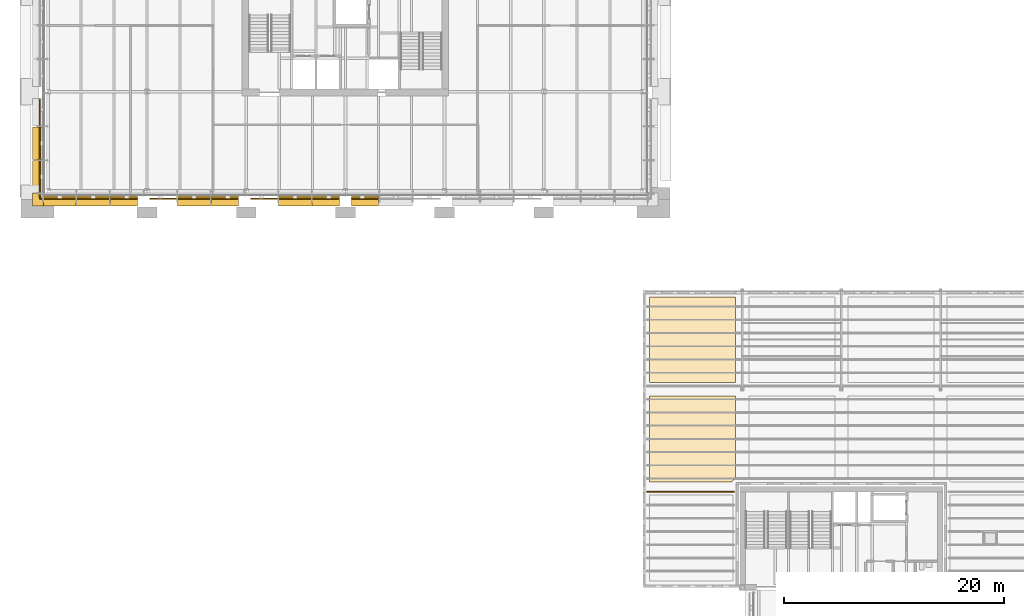
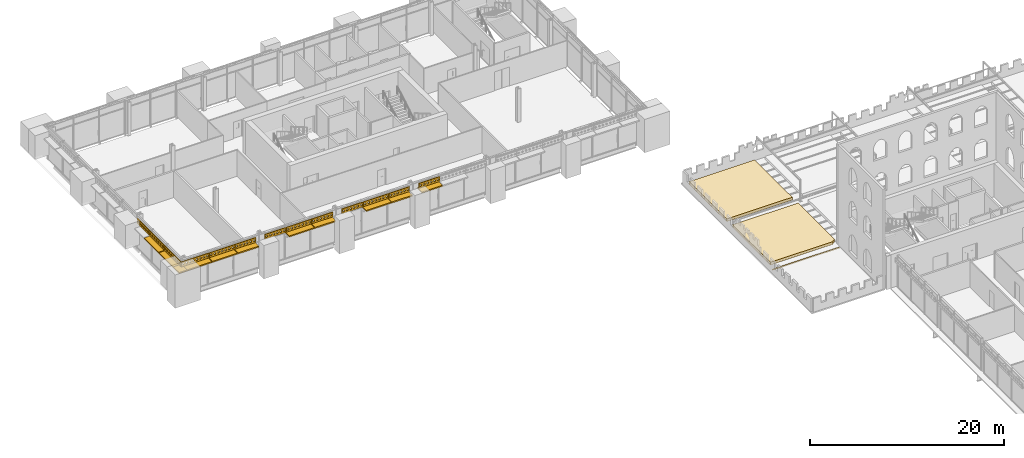
# One storey, part 140 of 153: 24 shading devices, 3 coverings.
"""IFC4 building model written with IfcOpenShell, lengths in metres."""

from ifc_helpers import new_model, si_unit, direction, frame, origin, origin_2d, place, context, subcontext, project, spatial, polyline, rectangle, outline, extrude, material, layer, layer_set, type_object, element, save


model = new_model("IFC4")

# Units and contexts
model_context = context("Model", 3, precision=1e-05, world=origin(), true_north=direction((0.0, 1.0)))
body_context = subcontext(model_context, "Body", "Model", "MODEL_VIEW")
ifc_project = project(units=[si_unit("LENGTHUNIT", "METRE"), si_unit("AREAUNIT", "SQUARE_METRE"), si_unit("VOLUMEUNIT", "CUBIC_METRE"), si_unit("PLANEANGLEUNIT", "RADIAN"), si_unit("MASSUNIT", "GRAM", prefix="KILO")], contexts=[model_context])

# Site, building, storey
site_placement = place(None, origin())
site = spatial("IfcSite", under=ifc_project, at=site_placement, CompositionType="ELEMENT")
building_placement = place(site_placement, origin())
building = spatial("IfcBuilding", under=site, at=building_placement, Name="Baradari Gate Terminus", CompositionType="ELEMENT")
storey_placement = place(building_placement, frame((0.0, 0.0, 11.699951171875)))
storey = spatial("IfcBuildingStorey", under=building, at=storey_placement, Name="L02", CompositionType="ELEMENT", Elevation=11.699951171875)

# Shading devices
ifc_material_1 = material(Name="Concrete C40/50 precast", Category="concrete")
ifc_layer_1 = layer(ifc_material_1, 0.14990234375)
ifc_layer_set_1 = layer_set([ifc_layer_1], Name="Concrete C40/50 precast")
shading_device_type_1 = type_object("IfcShadingDeviceType", Name="Chhajja band CJ-1 900x150", PredefinedType="AWNING", material=ifc_layer_set_1)
shading_device_1_placement = place(storey_placement, frame((10.072265625, 116.080078125, 3.33251953125), z_axis=(0.0, 0.0, 1.0), x_axis=(1.0, 0.0, 0.0)))
element("IfcShadingDevice", 1, at=shading_device_1_placement, inside=storey, type_object=shading_device_type_1, Name="Chhajja band CJ-1 L02/TS bay 1", PredefinedType="AWNING", context=body_context, shape_type="SweptSolid", body=[
    extrude(rectangle(XDim=2.939697265625, YDim=0.89990234375, at=origin_2d()), origin(), (0.0, 0.0, 1.0), 0.14990234375),
])
shading_device_2_placement = place(storey_placement, frame((13.1083984375, 116.080078125, 3.33251953125), z_axis=(0.0, 0.0, 1.0), x_axis=(1.0, 0.0, 0.0)))
element("IfcShadingDevice", 2, at=shading_device_2_placement, inside=storey, type_object=shading_device_type_1, Name="Chhajja band CJ-1 L02/TS bay 2", PredefinedType="AWNING", context=body_context, shape_type="SweptSolid", body=[
    extrude(rectangle(XDim=2.97216796875, YDim=0.89990234375, at=origin_2d()), origin(), (0.0, 0.0, 1.0), 0.14990234375),
])
shading_device_3_placement = place(storey_placement, frame((15.905517578125, 116.080078125, 3.33251953125), z_axis=(0.0, 0.0, 1.0), x_axis=(1.0, 0.0, 0.0)))
element("IfcShadingDevice", 3, at=shading_device_3_placement, inside=storey, type_object=shading_device_type_1, Name="Chhajja band CJ-1 L02/TS bay 3", PredefinedType="AWNING", context=body_context, shape_type="SweptSolid", body=[
    extrude(rectangle(XDim=2.462158203125, YDim=0.89990234375, at=origin_2d()), origin(), (0.0, 0.0, 1.0), 0.14990234375),
])
shading_device_4_placement = place(storey_placement, frame((22.264892578125, 116.080078125, 3.33251953125), z_axis=(0.0, 0.0, 1.0), x_axis=(1.0, 0.0, 0.0)))
element("IfcShadingDevice", 4, at=shading_device_4_placement, inside=storey, type_object=shading_device_type_1, Name="Chhajja band CJ-1 L02/TS bay 5", PredefinedType="AWNING", context=body_context, shape_type="SweptSolid", body=[
    extrude(rectangle(XDim=2.97216796875, YDim=0.89990234375, at=origin_2d()), origin(), (0.0, 0.0, 1.0), 0.14990234375),
])
shading_device_5_placement = place(storey_placement, frame((25.062255859375, 116.080078125, 3.33251953125), z_axis=(0.0, 0.0, 1.0), x_axis=(1.0, 0.0, 0.0)))
element("IfcShadingDevice", 5, at=shading_device_5_placement, inside=storey, type_object=shading_device_type_1, Name="Chhajja band CJ-1 L02/TS bay 6", PredefinedType="AWNING", context=body_context, shape_type="SweptSolid", body=[
    extrude(rectangle(XDim=2.462158203125, YDim=0.89990234375, at=origin_2d()), origin(), (0.0, 0.0, 1.0), 0.14990234375),
])
shading_device_6_placement = place(storey_placement, frame((31.421630859375, 116.080078125, 3.33251953125), z_axis=(0.0, 0.0, 1.0), x_axis=(1.0, 0.0, 0.0)))
element("IfcShadingDevice", 6, at=shading_device_6_placement, inside=storey, type_object=shading_device_type_1, Name="Chhajja band CJ-1 L02/TS bay 8", PredefinedType="AWNING", context=body_context, shape_type="SweptSolid", body=[
    extrude(rectangle(XDim=2.97216796875, YDim=0.89990234375, at=origin_2d()), origin(), (0.0, 0.0, 1.0), 0.14990234375),
])
for number, where, z_axis, x_axis, name in (
    (7, (34.218994140625, 116.080078125, 3.33251953125), (0.0, 0.0, 1.0), (1.0, 0.0, 0.0), "Chhajja band CJ-1 L02/TS bay 9"),
    (8, (37.781005859375, 116.080078125, 3.33251953125), (0.0, 0.0, 1.0), (1.0, 0.0, 0.0), "Chhajja band CJ-1 L02/TS bay 10"),
):
    element("IfcShadingDevice", number, at=place(storey_placement, frame(where, z_axis=z_axis, x_axis=x_axis)), inside=storey, type_object=shading_device_type_1, Name=name, PredefinedType="AWNING", context=body_context, shape_type="SweptSolid", body=[
        extrude(rectangle(XDim=2.462158203125, YDim=0.89990234375, at=origin_2d()), origin(), (0.0, 0.0, 1.0), 0.14990234375),
    ])
shading_device_7_placement = place(storey_placement, frame((8.080078125, 118.2763671875, 3.33251953125), z_axis=(0.0, 0.0, 1.0), x_axis=(0.0, 1.0, 0.0)))
element("IfcShadingDevice", 9, at=shading_device_7_placement, inside=storey, type_object=shading_device_type_1, Name="Chhajja band CJ-1 L02/TW bay 1", PredefinedType="AWNING", context=body_context, shape_type="SweptSolid", body=[
    extrude(rectangle(XDim=2.947509765625, YDim=0.89990234375, at=origin_2d()), origin(), (0.0, 0.0, 1.0), 0.14990234375),
])
shading_device_8_placement = place(storey_placement, frame((8.080078125, 121.320068359375, 3.33251953125), z_axis=(0.0, 0.0, 1.0), x_axis=(0.0, 1.0, 0.0)))
element("IfcShadingDevice", 10, at=shading_device_8_placement, inside=storey, type_object=shading_device_type_1, Name="Chhajja band CJ-1 L02/TW bay 2", PredefinedType="AWNING", context=body_context, shape_type="SweptSolid", body=[
    extrude(rectangle(XDim=2.97998046875, YDim=0.89990234375, at=origin_2d()), origin(), (0.0, 0.0, 1.0), 0.14990234375),
])
shading_device_9_placement = place(storey_placement, frame((0.0, 0.0, 3.33251953125)))
element("IfcShadingDevice", 11, at=shading_device_9_placement, inside=storey, type_object=shading_device_type_1, Name="Chhajja band CJ-1 L02/SW corner", PredefinedType="AWNING", context=body_context, shape_type="SweptSolid", body=[
    extrude(outline(polyline([(7.6298828125, 116.802490234375), (8.530029296875, 116.802490234375), (8.530029296875, 116.530029296875), (8.6025390625, 116.530029296875), (8.6025390625, 115.6298828125), (7.6298828125, 115.6298828125), (7.6298828125, 116.802490234375)])), origin(), (0.0, 0.0, 1.0), 0.150146484375),
])
ifc_material_2 = material(Name="Concrete C50/60 precast", Category="concrete")
ifc_layer_2 = layer(ifc_material_2, 0.10009765625)
ifc_layer_set_2 = layer_set([ifc_layer_2], Name="Concrete C50/60 precast")
shading_device_type_2 = type_object("IfcShadingDeviceType", Name="Jali screen panel JS-1 100", PredefinedType="SHUTTER", material=ifc_layer_set_2)
shading_device_10_placement = place(storey_placement, frame((8.262451171875, 116.280029296875, 3.583740234375), z_axis=(0.0, 0.0, 1.0), x_axis=(1.0, 0.0, 0.0)))
element("IfcShadingDevice", 12, at=shading_device_10_placement, inside=storey, type_object=shading_device_type_2, Name="Jali screen panel JS-1 L02/TS bay 1", PredefinedType="SHUTTER", context=body_context, shape_type="SweptSolid", body=[
    extrude(outline(polyline([(0.0, 0.0), (3.2998046875, 0.0), (3.2998046875, 0.60009765625), (0.0, 0.60009765625), (0.0, 0.0)]), holes=[polyline([(0.336181640625, 0.300048828125), (0.271240234375, 0.1875), (0.14111328125, 0.1875), (0.076171875, 0.300048828125), (0.14111328125, 0.41259765625), (0.271240234375, 0.41259765625), (0.336181640625, 0.300048828125)]), polyline([(0.748779296875, 0.300048828125), (0.68359375, 0.1875), (0.5537109375, 0.1875), (0.48876953125, 0.300048828125), (0.5537109375, 0.41259765625), (0.68359375, 0.41259765625), (0.748779296875, 0.300048828125)]), polyline([(1.1611328125, 0.300048828125), (1.09619140625, 0.1875), (0.966064453125, 0.1875), (0.901123046875, 0.300048828125), (0.966064453125, 0.41259765625), (1.09619140625, 0.41259765625), (1.1611328125, 0.300048828125)]), polyline([(1.57373046875, 0.300048828125), (1.508544921875, 0.1875), (1.378662109375, 0.1875), (1.313720703125, 0.300048828125), (1.378662109375, 0.41259765625), (1.508544921875, 0.41259765625), (1.57373046875, 0.300048828125)]), polyline([(1.986083984375, 0.300048828125), (1.921142578125, 0.1875), (1.791015625, 0.1875), (1.72607421875, 0.300048828125), (1.791015625, 0.41259765625), (1.921142578125, 0.41259765625), (1.986083984375, 0.300048828125)]), polyline([(2.3984375, 0.300048828125), (2.33349609375, 0.1875), (2.20361328125, 0.1875), (2.138671875, 0.300048828125), (2.20361328125, 0.41259765625), (2.33349609375, 0.41259765625), (2.3984375, 0.300048828125)]), polyline([(2.81103515625, 0.300048828125), (2.74609375, 0.1875), (2.615966796875, 0.1875), (2.551025390625, 0.300048828125), (2.615966796875, 0.41259765625), (2.74609375, 0.41259765625), (2.81103515625, 0.300048828125)]), polyline([(3.223388671875, 0.300048828125), (3.158447265625, 0.1875), (3.028564453125, 0.1875), (2.96337890625, 0.300048828125), (3.028564453125, 0.41259765625), (3.158447265625, 0.41259765625), (3.223388671875, 0.300048828125)])]), frame((0.0, 0.050048828125, 0.0), z_axis=(0.0, -1.0, 0.0), x_axis=(1.0, 0.0, 0.0)), (0.0, 0.0, 1.0), 0.10009765625),
])
shading_device_11_placement = place(storey_placement, frame((11.602294921875, 116.280029296875, 3.583740234375), z_axis=(0.0, 0.0, 1.0), x_axis=(1.0, 0.0, 0.0)))
element("IfcShadingDevice", 13, at=shading_device_11_placement, inside=storey, type_object=shading_device_type_2, Name="Jali screen panel JS-1 L02/TS bay 2", PredefinedType="SHUTTER", context=body_context, shape_type="SweptSolid", body=[
    extrude(outline(polyline([(0.0, 0.0), (3.01220703125, 0.0), (3.01220703125, 0.60009765625), (0.0, 0.60009765625), (0.0, 0.0)]), holes=[polyline([(0.34521484375, 0.300048828125), (0.2802734375, 0.1875), (0.150146484375, 0.1875), (0.085205078125, 0.300048828125), (0.150146484375, 0.41259765625), (0.2802734375, 0.41259765625), (0.34521484375, 0.300048828125)]), polyline([(0.775390625, 0.300048828125), (0.71044921875, 0.1875), (0.58056640625, 0.1875), (0.515380859375, 0.300048828125), (0.58056640625, 0.41259765625), (0.71044921875, 0.41259765625), (0.775390625, 0.300048828125)]), polyline([(1.205810546875, 0.300048828125), (1.140869140625, 0.1875), (1.0107421875, 0.1875), (0.94580078125, 0.300048828125), (1.0107421875, 0.41259765625), (1.140869140625, 0.41259765625), (1.205810546875, 0.300048828125)]), polyline([(1.63623046875, 0.300048828125), (1.571044921875, 0.1875), (1.441162109375, 0.1875), (1.376220703125, 0.300048828125), (1.441162109375, 0.41259765625), (1.571044921875, 0.41259765625), (1.63623046875, 0.300048828125)]), polyline([(2.06640625, 0.300048828125), (2.00146484375, 0.1875), (1.871337890625, 0.1875), (1.806396484375, 0.300048828125), (1.871337890625, 0.41259765625), (2.00146484375, 0.41259765625), (2.06640625, 0.300048828125)]), polyline([(2.496826171875, 0.300048828125), (2.431640625, 0.1875), (2.3017578125, 0.1875), (2.23681640625, 0.300048828125), (2.3017578125, 0.41259765625), (2.431640625, 0.41259765625), (2.496826171875, 0.300048828125)]), polyline([(2.927001953125, 0.300048828125), (2.862060546875, 0.1875), (2.732177734375, 0.1875), (2.6669921875, 0.300048828125), (2.732177734375, 0.41259765625), (2.862060546875, 0.41259765625), (2.927001953125, 0.300048828125)])]), frame((0.0, 0.050048828125, 0.0), z_axis=(0.0, -1.0, 0.0), x_axis=(1.0, 0.0, 0.0)), (0.0, 0.0, 1.0), 0.10009765625),
])
shading_device_12_placement = place(storey_placement, frame((14.654541015625, 116.280029296875, 3.583740234375), z_axis=(0.0, 0.0, 1.0), x_axis=(1.0, 0.0, 0.0)))
element("IfcShadingDevice", 14, at=shading_device_12_placement, inside=storey, type_object=shading_device_type_2, Name="Jali screen panel JS-1 L02/TS bay 3", PredefinedType="SHUTTER", context=body_context, shape_type="SweptSolid", body=[
    extrude(outline(polyline([(0.0, 0.0), (2.482177734375, 0.0), (2.482177734375, 0.60009765625), (0.0, 0.60009765625), (0.0, 0.0)]), holes=[polyline([(0.3369140625, 0.300048828125), (0.27197265625, 0.1875), (0.141845703125, 0.1875), (0.076904296875, 0.300048828125), (0.141845703125, 0.41259765625), (0.27197265625, 0.41259765625), (0.3369140625, 0.300048828125)]), polyline([(0.75048828125, 0.300048828125), (0.685546875, 0.1875), (0.5556640625, 0.1875), (0.490478515625, 0.300048828125), (0.5556640625, 0.41259765625), (0.685546875, 0.41259765625), (0.75048828125, 0.300048828125)]), polyline([(1.164306640625, 0.300048828125), (1.099365234375, 0.1875), (0.96923828125, 0.1875), (0.904296875, 0.300048828125), (0.96923828125, 0.41259765625), (1.099365234375, 0.41259765625), (1.164306640625, 0.300048828125)]), polyline([(1.577880859375, 0.300048828125), (1.512939453125, 0.1875), (1.383056640625, 0.1875), (1.31787109375, 0.300048828125), (1.383056640625, 0.41259765625), (1.512939453125, 0.41259765625), (1.577880859375, 0.300048828125)]), polyline([(1.99169921875, 0.300048828125), (1.9267578125, 0.1875), (1.796630859375, 0.1875), (1.731689453125, 0.300048828125), (1.796630859375, 0.41259765625), (1.9267578125, 0.41259765625), (1.99169921875, 0.300048828125)]), polyline([(2.4052734375, 0.300048828125), (2.34033203125, 0.1875), (2.21044921875, 0.1875), (2.145263671875, 0.300048828125), (2.21044921875, 0.41259765625), (2.34033203125, 0.41259765625), (2.4052734375, 0.300048828125)])]), frame((0.0, 0.050048828125, 0.0), z_axis=(0.0, -1.0, 0.0), x_axis=(1.0, 0.0, 0.0)), (0.0, 0.0, 1.0), 0.10009765625),
])
shading_device_13_placement = place(storey_placement, frame((18.236572265625, 116.280029296875, 3.583740234375), z_axis=(0.0, 0.0, 1.0), x_axis=(1.0, 0.0, 0.0)))
element("IfcShadingDevice", 15, at=shading_device_13_placement, inside=storey, type_object=shading_device_type_2, Name="Jali screen panel JS-1 L02/TS bay 4", PredefinedType="SHUTTER", context=body_context, shape_type="SweptSolid", body=[
    extrude(outline(polyline([(0.0, 0.0), (2.482421875, 0.0), (2.482421875, 0.60009765625), (0.0, 0.60009765625), (0.0, 0.0)]), holes=[polyline([(0.3369140625, 0.300048828125), (0.27197265625, 0.1875), (0.141845703125, 0.1875), (0.076904296875, 0.300048828125), (0.141845703125, 0.41259765625), (0.27197265625, 0.41259765625), (0.3369140625, 0.300048828125)]), polyline([(0.75048828125, 0.300048828125), (0.685546875, 0.1875), (0.5556640625, 0.1875), (0.490478515625, 0.300048828125), (0.5556640625, 0.41259765625), (0.685546875, 0.41259765625), (0.75048828125, 0.300048828125)]), polyline([(1.164306640625, 0.300048828125), (1.099365234375, 0.1875), (0.96923828125, 0.1875), (0.904296875, 0.300048828125), (0.96923828125, 0.41259765625), (1.099365234375, 0.41259765625), (1.164306640625, 0.300048828125)]), polyline([(1.577880859375, 0.300048828125), (1.512939453125, 0.1875), (1.383056640625, 0.1875), (1.31787109375, 0.300048828125), (1.383056640625, 0.41259765625), (1.512939453125, 0.41259765625), (1.577880859375, 0.300048828125)]), polyline([(1.99169921875, 0.300048828125), (1.9267578125, 0.1875), (1.796630859375, 0.1875), (1.731689453125, 0.300048828125), (1.796630859375, 0.41259765625), (1.9267578125, 0.41259765625), (1.99169921875, 0.300048828125)]), polyline([(2.4052734375, 0.300048828125), (2.34033203125, 0.1875), (2.21044921875, 0.1875), (2.145263671875, 0.300048828125), (2.21044921875, 0.41259765625), (2.34033203125, 0.41259765625), (2.4052734375, 0.300048828125)])]), frame((0.0, 0.050048828125, 0.0), z_axis=(0.0, -1.0, 0.0), x_axis=(1.0, 0.0, 0.0)), (0.0, 0.0, 1.0), 0.10009765625),
])
shading_device_14_placement = place(storey_placement, frame((20.7587890625, 116.280029296875, 3.583740234375), z_axis=(0.0, 0.0, 1.0), x_axis=(1.0, 0.0, 0.0)))
element("IfcShadingDevice", 16, at=shading_device_14_placement, inside=storey, type_object=shading_device_type_2, Name="Jali screen panel JS-1 L02/TS bay 5", PredefinedType="SHUTTER", context=body_context, shape_type="SweptSolid", body=[
    extrude(outline(polyline([(0.0, 0.0), (3.01220703125, 0.0), (3.01220703125, 0.60009765625), (0.0, 0.60009765625), (0.0, 0.0)]), holes=[polyline([(0.34521484375, 0.300048828125), (0.2802734375, 0.1875), (0.150146484375, 0.1875), (0.085205078125, 0.300048828125), (0.150146484375, 0.41259765625), (0.2802734375, 0.41259765625), (0.34521484375, 0.300048828125)]), polyline([(0.775390625, 0.300048828125), (0.71044921875, 0.1875), (0.58056640625, 0.1875), (0.515380859375, 0.300048828125), (0.58056640625, 0.41259765625), (0.71044921875, 0.41259765625), (0.775390625, 0.300048828125)]), polyline([(1.205810546875, 0.300048828125), (1.140869140625, 0.1875), (1.0107421875, 0.1875), (0.94580078125, 0.300048828125), (1.0107421875, 0.41259765625), (1.140869140625, 0.41259765625), (1.205810546875, 0.300048828125)]), polyline([(1.63623046875, 0.300048828125), (1.571044921875, 0.1875), (1.441162109375, 0.1875), (1.376220703125, 0.300048828125), (1.441162109375, 0.41259765625), (1.571044921875, 0.41259765625), (1.63623046875, 0.300048828125)]), polyline([(2.06640625, 0.300048828125), (2.00146484375, 0.1875), (1.871337890625, 0.1875), (1.806396484375, 0.300048828125), (1.871337890625, 0.41259765625), (2.00146484375, 0.41259765625), (2.06640625, 0.300048828125)]), polyline([(2.496826171875, 0.300048828125), (2.431640625, 0.1875), (2.3017578125, 0.1875), (2.23681640625, 0.300048828125), (2.3017578125, 0.41259765625), (2.431640625, 0.41259765625), (2.496826171875, 0.300048828125)]), polyline([(2.927001953125, 0.300048828125), (2.862060546875, 0.1875), (2.732177734375, 0.1875), (2.6669921875, 0.300048828125), (2.732177734375, 0.41259765625), (2.862060546875, 0.41259765625), (2.927001953125, 0.300048828125)])]), frame((0.0, 0.050048828125, 0.0), z_axis=(0.0, -1.0, 0.0), x_axis=(1.0, 0.0, 0.0)), (0.0, 0.0, 1.0), 0.10009765625),
])
for number, where, z_axis, x_axis, name in (
    (17, (23.81103515625, 116.280029296875, 3.583740234375), (0.0, 0.0, 1.0), (1.0, 0.0, 0.0), "Jali screen panel JS-1 L02/TS bay 6"),
    (18, (27.393310546875, 116.280029296875, 3.583740234375), (0.0, 0.0, 1.0), (1.0, 0.0, 0.0), "Jali screen panel JS-1 L02/TS bay 7"),
):
    element("IfcShadingDevice", number, at=place(storey_placement, frame(where, z_axis=z_axis, x_axis=x_axis)), inside=storey, type_object=shading_device_type_2, Name=name, PredefinedType="SHUTTER", context=body_context, shape_type="SweptSolid", body=[
        extrude(outline(polyline([(0.0, 0.0), (2.482177734375, 0.0), (2.482177734375, 0.60009765625), (0.0, 0.60009765625), (0.0, 0.0)]), holes=[polyline([(0.3369140625, 0.300048828125), (0.27197265625, 0.1875), (0.141845703125, 0.1875), (0.076904296875, 0.300048828125), (0.141845703125, 0.41259765625), (0.27197265625, 0.41259765625), (0.3369140625, 0.300048828125)]), polyline([(0.75048828125, 0.300048828125), (0.685546875, 0.1875), (0.5556640625, 0.1875), (0.490478515625, 0.300048828125), (0.5556640625, 0.41259765625), (0.685546875, 0.41259765625), (0.75048828125, 0.300048828125)]), polyline([(1.164306640625, 0.300048828125), (1.099365234375, 0.1875), (0.96923828125, 0.1875), (0.904296875, 0.300048828125), (0.96923828125, 0.41259765625), (1.099365234375, 0.41259765625), (1.164306640625, 0.300048828125)]), polyline([(1.577880859375, 0.300048828125), (1.512939453125, 0.1875), (1.383056640625, 0.1875), (1.31787109375, 0.300048828125), (1.383056640625, 0.41259765625), (1.512939453125, 0.41259765625), (1.577880859375, 0.300048828125)]), polyline([(1.99169921875, 0.300048828125), (1.9267578125, 0.1875), (1.796630859375, 0.1875), (1.731689453125, 0.300048828125), (1.796630859375, 0.41259765625), (1.9267578125, 0.41259765625), (1.99169921875, 0.300048828125)]), polyline([(2.4052734375, 0.300048828125), (2.34033203125, 0.1875), (2.21044921875, 0.1875), (2.145263671875, 0.300048828125), (2.21044921875, 0.41259765625), (2.34033203125, 0.41259765625), (2.4052734375, 0.300048828125)])]), frame((0.0, 0.050048828125, 0.0), z_axis=(0.0, -1.0, 0.0), x_axis=(1.0, 0.0, 0.0)), (0.0, 0.0, 1.0), 0.10009765625),
    ])
shading_device_15_placement = place(storey_placement, frame((29.91552734375, 116.280029296875, 3.583740234375), z_axis=(0.0, 0.0, 1.0), x_axis=(1.0, 0.0, 0.0)))
element("IfcShadingDevice", 19, at=shading_device_15_placement, inside=storey, type_object=shading_device_type_2, Name="Jali screen panel JS-1 L02/TS bay 8", PredefinedType="SHUTTER", context=body_context, shape_type="SweptSolid", body=[
    extrude(outline(polyline([(0.0, 0.0), (3.01220703125, 0.0), (3.01220703125, 0.60009765625), (0.0, 0.60009765625), (0.0, 0.0)]), holes=[polyline([(0.34521484375, 0.300048828125), (0.2802734375, 0.1875), (0.150146484375, 0.1875), (0.085205078125, 0.300048828125), (0.150146484375, 0.41259765625), (0.2802734375, 0.41259765625), (0.34521484375, 0.300048828125)]), polyline([(0.775390625, 0.300048828125), (0.71044921875, 0.1875), (0.58056640625, 0.1875), (0.515380859375, 0.300048828125), (0.58056640625, 0.41259765625), (0.71044921875, 0.41259765625), (0.775390625, 0.300048828125)]), polyline([(1.205810546875, 0.300048828125), (1.140869140625, 0.1875), (1.0107421875, 0.1875), (0.94580078125, 0.300048828125), (1.0107421875, 0.41259765625), (1.140869140625, 0.41259765625), (1.205810546875, 0.300048828125)]), polyline([(1.63623046875, 0.300048828125), (1.571044921875, 0.1875), (1.441162109375, 0.1875), (1.376220703125, 0.300048828125), (1.441162109375, 0.41259765625), (1.571044921875, 0.41259765625), (1.63623046875, 0.300048828125)]), polyline([(2.06640625, 0.300048828125), (2.00146484375, 0.1875), (1.871337890625, 0.1875), (1.806396484375, 0.300048828125), (1.871337890625, 0.41259765625), (2.00146484375, 0.41259765625), (2.06640625, 0.300048828125)]), polyline([(2.496826171875, 0.300048828125), (2.431640625, 0.1875), (2.3017578125, 0.1875), (2.23681640625, 0.300048828125), (2.3017578125, 0.41259765625), (2.431640625, 0.41259765625), (2.496826171875, 0.300048828125)]), polyline([(2.927001953125, 0.300048828125), (2.862060546875, 0.1875), (2.732177734375, 0.1875), (2.6669921875, 0.300048828125), (2.732177734375, 0.41259765625), (2.862060546875, 0.41259765625), (2.927001953125, 0.300048828125)])]), frame((0.0, 0.050048828125, 0.0), z_axis=(0.0, -1.0, 0.0), x_axis=(1.0, 0.0, 0.0)), (0.0, 0.0, 1.0), 0.10009765625),
])
for number, where, z_axis, x_axis, name in (
    (20, (32.9677734375, 116.280029296875, 3.583740234375), (0.0, 0.0, 1.0), (1.0, 0.0, 0.0), "Jali screen panel JS-1 L02/TS bay 9"),
    (21, (36.550048828125, 116.280029296875, 3.583740234375), (0.0, 0.0, 1.0), (1.0, 0.0, 0.0), "Jali screen panel JS-1 L02/TS bay 10"),
):
    element("IfcShadingDevice", number, at=place(storey_placement, frame(where, z_axis=z_axis, x_axis=x_axis)), inside=storey, type_object=shading_device_type_2, Name=name, PredefinedType="SHUTTER", context=body_context, shape_type="SweptSolid", body=[
        extrude(outline(polyline([(0.0, 0.0), (2.482177734375, 0.0), (2.482177734375, 0.60009765625), (0.0, 0.60009765625), (0.0, 0.0)]), holes=[polyline([(0.3369140625, 0.300048828125), (0.27197265625, 0.1875), (0.141845703125, 0.1875), (0.076904296875, 0.300048828125), (0.141845703125, 0.41259765625), (0.27197265625, 0.41259765625), (0.3369140625, 0.300048828125)]), polyline([(0.75048828125, 0.300048828125), (0.685546875, 0.1875), (0.5556640625, 0.1875), (0.490478515625, 0.300048828125), (0.5556640625, 0.41259765625), (0.685546875, 0.41259765625), (0.75048828125, 0.300048828125)]), polyline([(1.164306640625, 0.300048828125), (1.099365234375, 0.1875), (0.96923828125, 0.1875), (0.904296875, 0.300048828125), (0.96923828125, 0.41259765625), (1.099365234375, 0.41259765625), (1.164306640625, 0.300048828125)]), polyline([(1.577880859375, 0.300048828125), (1.512939453125, 0.1875), (1.383056640625, 0.1875), (1.31787109375, 0.300048828125), (1.383056640625, 0.41259765625), (1.512939453125, 0.41259765625), (1.577880859375, 0.300048828125)]), polyline([(1.99169921875, 0.300048828125), (1.9267578125, 0.1875), (1.796630859375, 0.1875), (1.731689453125, 0.300048828125), (1.796630859375, 0.41259765625), (1.9267578125, 0.41259765625), (1.99169921875, 0.300048828125)]), polyline([(2.4052734375, 0.300048828125), (2.34033203125, 0.1875), (2.21044921875, 0.1875), (2.145263671875, 0.300048828125), (2.21044921875, 0.41259765625), (2.34033203125, 0.41259765625), (2.4052734375, 0.300048828125)])]), frame((0.0, 0.050048828125, 0.0), z_axis=(0.0, -1.0, 0.0), x_axis=(1.0, 0.0, 0.0)), (0.0, 0.0, 1.0), 0.10009765625),
    ])
shading_device_16_placement = place(storey_placement, frame((8.280029296875, 116.362548828125, 3.583740234375), z_axis=(0.0, 0.0, 1.0), x_axis=(0.0, 1.0, 0.0)))
element("IfcShadingDevice", 22, at=shading_device_16_placement, inside=storey, type_object=shading_device_type_2, Name="Jali screen panel JS-1 L02/TW bay 1", PredefinedType="SHUTTER", context=body_context, shape_type="SweptSolid", body=[
    extrude(outline(polyline([(0.0, 0.0), (3.407470703125, 0.0), (3.407470703125, 0.60009765625), (0.0, 0.60009765625), (0.0, 0.0)]), holes=[polyline([(0.343017578125, 0.300048828125), (0.278076171875, 0.1875), (0.14794921875, 0.1875), (0.0830078125, 0.300048828125), (0.14794921875, 0.41259765625), (0.278076171875, 0.41259765625), (0.343017578125, 0.300048828125)]), polyline([(0.768798828125, 0.300048828125), (0.703857421875, 0.1875), (0.573974609375, 0.1875), (0.5087890625, 0.300048828125), (0.573974609375, 0.41259765625), (0.703857421875, 0.41259765625), (0.768798828125, 0.300048828125)]), polyline([(1.19482421875, 0.300048828125), (1.1298828125, 0.1875), (0.999755859375, 0.1875), (0.934814453125, 0.300048828125), (0.999755859375, 0.41259765625), (1.1298828125, 0.41259765625), (1.19482421875, 0.300048828125)]), polyline([(1.620849609375, 0.300048828125), (1.5556640625, 0.1875), (1.42578125, 0.1875), (1.36083984375, 0.300048828125), (1.42578125, 0.41259765625), (1.5556640625, 0.41259765625), (1.620849609375, 0.300048828125)]), polyline([(2.046630859375, 0.300048828125), (1.981689453125, 0.1875), (1.851806640625, 0.1875), (1.78662109375, 0.300048828125), (1.851806640625, 0.41259765625), (1.981689453125, 0.41259765625), (2.046630859375, 0.300048828125)]), polyline([(2.47265625, 0.300048828125), (2.40771484375, 0.1875), (2.277587890625, 0.1875), (2.212646484375, 0.300048828125), (2.277587890625, 0.41259765625), (2.40771484375, 0.41259765625), (2.47265625, 0.300048828125)]), polyline([(2.898681640625, 0.300048828125), (2.83349609375, 0.1875), (2.70361328125, 0.1875), (2.638671875, 0.300048828125), (2.70361328125, 0.41259765625), (2.83349609375, 0.41259765625), (2.898681640625, 0.300048828125)]), polyline([(3.324462890625, 0.300048828125), (3.259521484375, 0.1875), (3.129638671875, 0.1875), (3.064453125, 0.300048828125), (3.129638671875, 0.41259765625), (3.259521484375, 0.41259765625), (3.324462890625, 0.300048828125)])]), frame((0.0, 0.050048828125, 0.0), z_axis=(0.0, -1.0, 0.0), x_axis=(1.0, 0.0, 0.0)), (0.0, 0.0, 1.0), 0.10009765625),
])
shading_device_17_placement = place(storey_placement, frame((8.280029296875, 119.81005859375, 3.583740234375), z_axis=(0.0, 0.0, 1.0), x_axis=(0.0, 1.0, 0.0)))
element("IfcShadingDevice", 23, at=shading_device_17_placement, inside=storey, type_object=shading_device_type_2, Name="Jali screen panel JS-1 L02/TW bay 2", PredefinedType="SHUTTER", context=body_context, shape_type="SweptSolid", body=[
    extrude(outline(polyline([(0.0, 0.0), (3.02001953125, 0.0), (3.02001953125, 0.60009765625), (0.0, 0.60009765625), (0.0, 0.0)]), holes=[polyline([(0.345703125, 0.300048828125), (0.28076171875, 0.1875), (0.150634765625, 0.1875), (0.085693359375, 0.300048828125), (0.150634765625, 0.41259765625), (0.28076171875, 0.41259765625), (0.345703125, 0.300048828125)]), polyline([(0.777099609375, 0.300048828125), (0.712158203125, 0.1875), (0.58203125, 0.1875), (0.51708984375, 0.300048828125), (0.58203125, 0.41259765625), (0.712158203125, 0.41259765625), (0.777099609375, 0.300048828125)]), polyline([(1.20849609375, 0.300048828125), (1.1435546875, 0.1875), (1.013671875, 0.1875), (0.948486328125, 0.300048828125), (1.013671875, 0.41259765625), (1.1435546875, 0.41259765625), (1.20849609375, 0.300048828125)]), polyline([(1.639892578125, 0.300048828125), (1.574951171875, 0.1875), (1.445068359375, 0.1875), (1.3798828125, 0.300048828125), (1.445068359375, 0.41259765625), (1.574951171875, 0.41259765625), (1.639892578125, 0.300048828125)]), polyline([(2.071533203125, 0.300048828125), (2.00634765625, 0.1875), (1.87646484375, 0.1875), (1.8115234375, 0.300048828125), (1.87646484375, 0.41259765625), (2.00634765625, 0.41259765625), (2.071533203125, 0.300048828125)]), polyline([(2.5029296875, 0.300048828125), (2.437744140625, 0.1875), (2.307861328125, 0.1875), (2.242919921875, 0.300048828125), (2.307861328125, 0.41259765625), (2.437744140625, 0.41259765625), (2.5029296875, 0.300048828125)]), polyline([(2.934326171875, 0.300048828125), (2.869384765625, 0.1875), (2.7392578125, 0.1875), (2.67431640625, 0.300048828125), (2.7392578125, 0.41259765625), (2.869384765625, 0.41259765625), (2.934326171875, 0.300048828125)])]), frame((0.0, 0.050048828125, 0.0), z_axis=(0.0, -1.0, 0.0), x_axis=(1.0, 0.0, 0.0)), (0.0, 0.0, 1.0), 0.10009765625),
])
shading_device_18_placement = place(storey_placement, frame((8.280029296875, 122.8701171875, 3.583740234375), z_axis=(0.0, 0.0, 1.0), x_axis=(0.0, 1.0, 0.0)))
element("IfcShadingDevice", 24, at=shading_device_18_placement, inside=storey, type_object=shading_device_type_2, Name="Jali screen panel JS-1 L02/TW bay 3", PredefinedType="SHUTTER", context=body_context, shape_type="SweptSolid", body=[
    extrude(outline(polyline([(0.0, 0.0), (2.489990234375, 0.0), (2.489990234375, 0.60009765625), (0.0, 0.60009765625), (0.0, 0.0)]), holes=[polyline([(0.33740234375, 0.300048828125), (0.2724609375, 0.1875), (0.142578125, 0.1875), (0.077392578125, 0.300048828125), (0.142578125, 0.41259765625), (0.2724609375, 0.41259765625), (0.33740234375, 0.300048828125)]), polyline([(0.75244140625, 0.300048828125), (0.6875, 0.1875), (0.5576171875, 0.1875), (0.492431640625, 0.300048828125), (0.5576171875, 0.41259765625), (0.6875, 0.41259765625), (0.75244140625, 0.300048828125)]), polyline([(1.16748046875, 0.300048828125), (1.1025390625, 0.1875), (0.972412109375, 0.1875), (0.907470703125, 0.300048828125), (0.972412109375, 0.41259765625), (1.1025390625, 0.41259765625), (1.16748046875, 0.300048828125)]), polyline([(1.58251953125, 0.300048828125), (1.517578125, 0.1875), (1.387451171875, 0.1875), (1.322509765625, 0.300048828125), (1.387451171875, 0.41259765625), (1.517578125, 0.41259765625), (1.58251953125, 0.300048828125)]), polyline([(1.99755859375, 0.300048828125), (1.9326171875, 0.1875), (1.802490234375, 0.1875), (1.737548828125, 0.300048828125), (1.802490234375, 0.41259765625), (1.9326171875, 0.41259765625), (1.99755859375, 0.300048828125)]), polyline([(2.41259765625, 0.300048828125), (2.347412109375, 0.1875), (2.217529296875, 0.1875), (2.152587890625, 0.300048828125), (2.217529296875, 0.41259765625), (2.347412109375, 0.41259765625), (2.41259765625, 0.300048828125)])]), frame((0.0, 0.050048828125, 0.0), z_axis=(0.0, -1.0, 0.0), x_axis=(1.0, 0.0, 0.0)), (0.0, 0.0, 1.0), 0.10009765625),
])

# Coverings
ifc_material_3 = material(Name="Planted substrate")
ifc_layer_3 = layer(ifc_material_3, 0.35009765625)
ifc_layer_set_3 = layer_set([ifc_layer_3], Name="Planted substrate")
covering_type_1 = type_object("IfcCoveringType", Name="Planted roof bed GR-1 350", PredefinedType="USERDEFINED", material=ifc_layer_set_3)
covering_1_placement = place(storey_placement, origin())
element("IfcCovering", 25, at=covering_1_placement, inside=storey, type_object=covering_type_1, Name="RF/L02/GRW0102-1", ObjectType="PLANTED BED", PredefinedType="USERDEFINED", context=body_context, shape_type="SweptSolid", body=[
    extrude(outline(polyline([(63.60009765625, 98.39990234375), (71.39990234375, 98.39990234375), (71.39990234375, 90.8466796875), (71.393798828125, 90.84619140625), (71.381591796875, 90.844482421875), (71.352783203125, 90.838623046875), (71.3408203125, 90.835693359375), (71.3125, 90.8271484375), (71.301025390625, 90.822998046875), (71.27392578125, 90.811767578125), (71.2626953125, 90.806396484375), (71.23681640625, 90.79248046875), (71.226318359375, 90.786376953125), (71.201904296875, 90.77001953125), (71.19189453125, 90.7626953125), (71.169189453125, 90.743896484375), (71.16015625, 90.735595703125), (71.139404296875, 90.71484375), (71.131103515625, 90.705810546875), (71.1123046875, 90.68310546875), (71.10498046875, 90.673095703125), (71.088623046875, 90.648681640625), (71.08251953125, 90.63818359375), (71.068603515625, 90.6123046875), (71.063232421875, 90.60107421875), (71.06298828125, 90.60009765625), (63.60009765625, 90.60009765625), (63.60009765625, 98.39990234375)])), origin(), (0.0, 0.0, 1.0), 0.35009765625),
])
covering_2_placement = place(storey_placement, origin())
element("IfcCovering", 26, at=covering_2_placement, inside=storey, type_object=covering_type_1, Name="RF/L02/GRW0103-1", ObjectType="PLANTED BED", PredefinedType="USERDEFINED", context=body_context, shape_type="SweptSolid", body=[
    extrude(outline(polyline([(63.60009765625, 107.353515625), (71.39990234375, 107.353515625), (71.39990234375, 99.60009765625), (63.60009765625, 99.60009765625), (63.60009765625, 107.353515625)])), origin(), (0.0, 0.0, 1.0), 0.35009765625),
])
ifc_material_4 = material(Name="Terracotta paving", Category="masonry")
ifc_layer_4 = layer(ifc_material_4, 0.050048828125)
ifc_layer_set_4 = layer_set([ifc_layer_4], Name="Terracotta paving")
covering_type_2 = type_object("IfcCoveringType", Name="Terracotta tile course RP-2 50", PredefinedType="FLOORING", material=ifc_layer_set_4)
covering_3_placement = place(storey_placement, frame((0.0, 0.0, 0.030029296875)))
element("IfcCovering", 27, at=covering_3_placement, inside=storey, type_object=covering_type_2, Name="Terracotta tile course RP-2 head-roof-west", PredefinedType="FLOORING", context=body_context, shape_type="SweptSolid", body=[
    extrude(outline(polyline([(71.300048828125, 89.639892578125), (71.300048828125, 89.760009765625), (63.35009765625, 89.760009765625), (63.35009765625, 89.639892578125), (71.300048828125, 89.639892578125)])), origin(), (0.0, 0.0, 1.0), 0.050048828125),
])

save(model, "model.ifc")
